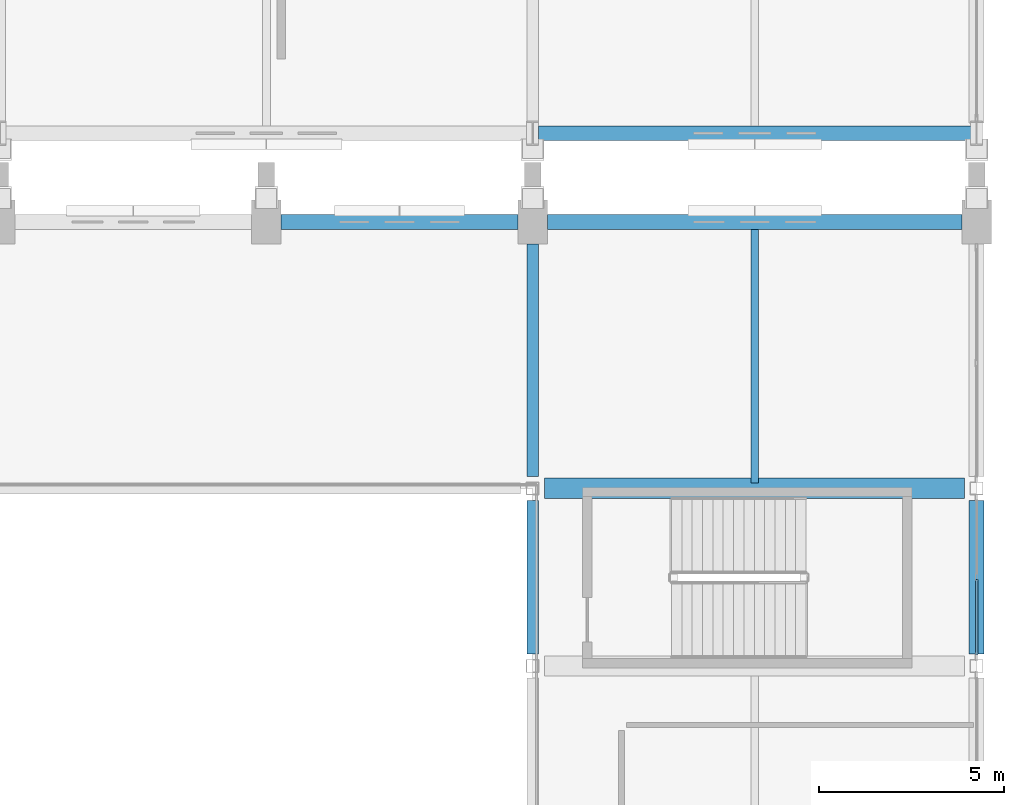
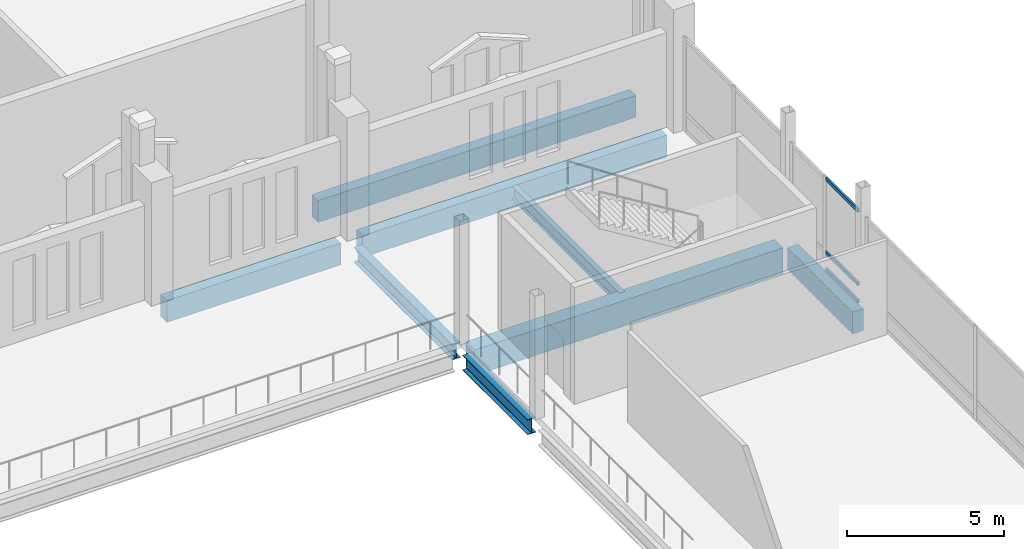
# One storey, part 90 of 193: 8 beams, 3 members, 1 element without a shape of its own.
"""IFC4 building model written with IfcOpenShell, lengths in metres."""

import ifcopenshell
import ifcopenshell.guid

model = None  # the IFC model being written
_history = None  # IfcOwnerHistory: only IFC2X3 demands one
_inside = {}  # id of a spatial element -> (the spatial element, [elements in it])
_under = {}  # id of a project, library or spatial element -> (it, [spatial elements below it])
_declared = {}  # id of a project -> (the project, [libraries it declares])
_typed = {}  # id of a type object -> (the type object, [elements of that type])
_made_of = {}  # id of a material, layer set ... -> (it, [elements and type objects made of it])


def new_model(schema):
    """Start an empty IFC model of exactly this schema.

    Asked for "IFC4X3", IfcOpenShell would pick the latest addendum, in which some entities
    have other attributes; the version numbers below select the first issue.
    IFC2X3 requires an IfcOwnerHistory on every rooted entity: one is made here for all.
    """
    global model, _history
    if schema == "IFC4X3":
        model = ifcopenshell.file(schema_version=(4, 3, 0, 0))
    else:
        model = ifcopenshell.file(schema=schema)
    _inside.clear()
    _under.clear()
    _declared.clear()
    _typed.clear()
    _made_of.clear()
    _history = None
    if model.schema == "IFC2X3":
        org = make("IfcOrganization", Name="unknown")
        user = make(
            "IfcPersonAndOrganization",
            ThePerson=make("IfcPerson", FamilyName="unknown"),
            TheOrganization=org,
        )
        app = make(
            "IfcApplication",
            ApplicationDeveloper=org,
            Version="unknown",
            ApplicationFullName="unknown",
            ApplicationIdentifier="unknown",
        )
        _history = make(
            "IfcOwnerHistory",
            OwningUser=user,
            OwningApplication=app,
            ChangeAction="ADDED",
            CreationDate=0,
        )
    return model


def make(cls, **values):
    """One entity of the class cls with the attributes given. An attribute that is None is left unset."""
    return model.create_entity(
        cls, **{name: value for name, value in values.items() if value is not None}
    )


def rooted(cls, **values):
    """An entity with a GlobalId (a new one), such as an element, a storey or a relation."""
    return make(cls, GlobalId=ifcopenshell.guid.new(), OwnerHistory=_history, **values)


def si_unit(unit_type, name, prefix=None):
    """IfcSIUnit, for example si_unit("LENGTHUNIT", "METRE", prefix="MILLI")."""
    return make("IfcSIUnit", UnitType=unit_type, Prefix=prefix, Name=name)


def assignment(units):
    """IfcUnitAssignment: the units of a project."""
    return None if units is None else make("IfcUnitAssignment", Units=units)


def point(xyz):
    """IfcCartesianPoint."""
    return None if xyz is None else make("IfcCartesianPoint", Coordinates=xyz)


def direction(xyz):
    """IfcDirection."""
    return None if xyz is None else make("IfcDirection", DirectionRatios=xyz)


def frame(location, z_axis=None, x_axis=None):
    """IfcAxis2Placement3D, a coordinate frame: its origin and axes. An axis left out is left unset."""
    return make(
        "IfcAxis2Placement3D",
        Location=point(location),
        Axis=direction(z_axis),
        RefDirection=direction(x_axis),
    )


def frame_2d(location, x_axis=None):
    """IfcAxis2Placement2D, a coordinate frame in the plane: its origin and x axis."""
    return make(
        "IfcAxis2Placement2D", Location=point(location), RefDirection=direction(x_axis)
    )


def origin():
    """The frame at (0, 0, 0) with its axes left unset."""
    return frame((0.0, 0.0, 0.0))


def origin_2d():
    """The frame at (0, 0) in the plane with its x axis left unset."""
    return frame_2d((0.0, 0.0))


def place(relative_to, where):
    """IfcLocalPlacement: puts the frame where relative to a parent placement (None: the world)."""
    return make(
        "IfcLocalPlacement", PlacementRelTo=relative_to, RelativePlacement=where
    )


def context(
    kind, dimensions, precision=None, world=None, true_north=None, identifier=None
):
    """IfcGeometricRepresentationContext, for example the 3D "Model" context."""
    return make(
        "IfcGeometricRepresentationContext",
        ContextIdentifier=identifier,
        ContextType=kind,
        CoordinateSpaceDimension=dimensions,
        Precision=precision,
        WorldCoordinateSystem=world,
        TrueNorth=true_north,
    )


def subcontext(parent, identifier, kind, view, scale=None):
    """IfcGeometricRepresentationSubContext, for example "Body" below "Model"."""
    return make(
        "IfcGeometricRepresentationSubContext",
        ContextIdentifier=identifier,
        ContextType=kind,
        ParentContext=parent,
        TargetScale=scale,
        TargetView=view,
    )


def project(units=None, contexts=None):
    """IfcProject with its units and contexts."""
    return rooted(
        "IfcProject",
        Name="project",
        RepresentationContexts=contexts,
        UnitsInContext=assignment(units),
    )


def spatial(cls, under=None, at=None, **own):
    """A site, building, storey or space (cls), placed at a placement, below another one or the project."""
    s = rooted(cls, ObjectPlacement=at, **own)
    if under is not None:
        _under.setdefault(under.id(), (under, []))[1].append(s)
    return s


def profile(cls, at=None, kind="AREA", **sizes):
    """A parametric profile (cls). Its sizes go by their IFC names, for example OverallWidth=200.0."""
    return make(cls, ProfileType=kind, Position=at, **sizes)


def rectangle(**sizes):
    """IfcRectangleProfileDef."""
    return profile("IfcRectangleProfileDef", **sizes)


def hollow_rectangle(**sizes):
    """IfcRectangleHollowProfileDef."""
    return profile("IfcRectangleHollowProfileDef", **sizes)


def i_section(**sizes):
    """IfcIShapeProfileDef."""
    return profile("IfcIShapeProfileDef", **sizes)


def extrude(swept, where, along, depth):
    """IfcExtrudedAreaSolid: the profile swept, set in the frame where, extruded along a direction by depth."""
    return make(
        "IfcExtrudedAreaSolid",
        SweptArea=swept,
        Position=where,
        ExtrudedDirection=direction(along),
        Depth=depth,
    )


def shape(context_of_items, identifier, shape_type, items):
    """IfcShapeRepresentation: the items that make up one representation, for example the "Body"."""
    return make(
        "IfcShapeRepresentation",
        ContextOfItems=context_of_items,
        RepresentationIdentifier=identifier,
        RepresentationType=shape_type,
        Items=items,
    )


def material(Name=None, Category=None):
    """IfcMaterial."""
    return make("IfcMaterial", Name=Name, Category=Category)


def material_profile(
    of_material, cross_section, Name=None, Category=None, Priority=None
):
    """IfcMaterialProfile: a cross section and its material."""
    return make(
        "IfcMaterialProfile",
        Name=Name,
        Material=of_material,
        Profile=cross_section,
        Priority=Priority,
        Category=Category,
    )


def profile_set(profiles, Name=None, composite=None):
    """IfcMaterialProfileSet."""
    return make(
        "IfcMaterialProfileSet",
        Name=Name,
        MaterialProfiles=profiles,
        CompositeProfile=composite,
    )


def made_of(thing, what):
    """Note that an element or type object is made of a material, layer set ...; save() writes the relation."""
    if what is not None:
        _made_of.setdefault(what.id(), (what, []))[1].append(thing)
    return thing


def type_object(cls, material=None, **own):
    """A type object (cls), such as IfcWallType, which elements share."""
    return made_of(rooted(cls, **own), material)


def element(
    cls,
    number,
    at=None,
    inside=None,
    cuts=None,
    type_object=None,
    material=None,
    context=None,
    identifier="Body",
    shape_type=None,
    held_by="IfcProductDefinitionShape",
    body=None,
    shapes=None,
    **own,
):
    """One element of the class cls, such as IfcWall. Its Tag is "e" and its number.

    at: its placement. inside: the storey or other place that contains it. cuts: it is an
    opening in that element (IfcRelVoidsElement). A single representation is given by context,
    identifier, shape_type and body (its items); several are given by shapes. held_by: the class
    of the entity that holds the representations. save() writes the other relations.
    """
    e = rooted(cls, Tag="e%d" % number, ObjectPlacement=at, **own)
    if body is not None:
        shapes = [shape(context, identifier, shape_type, body)]
    if shapes is not None:
        e.Representation = make(held_by, Representations=shapes)
    if inside is not None:
        _inside.setdefault(inside.id(), (inside, []))[1].append(e)
    if cuts is not None:
        rooted(
            "IfcRelVoidsElement", RelatingBuildingElement=cuts, RelatedOpeningElement=e
        )
    if type_object is not None:
        _typed.setdefault(type_object.id(), (type_object, []))[1].append(e)
    return made_of(e, material)


def aggregate(whole, parts):
    """IfcRelAggregates: a whole, such as a stair, and the parts it consists of."""
    return rooted("IfcRelAggregates", RelatingObject=whole, RelatedObjects=parts)


def save(model, path):
    """Write the relations noted so far, then the file.

    IfcRelAggregates (storeys below a building ...), IfcRelContainedInSpatialStructure (elements
    in a storey), IfcRelDefinesByType, IfcRelAssociatesMaterial and IfcRelDeclares: one each for
    every whole, place, type object, material and project.
    """
    for whole, parts in _under.values():
        aggregate(whole, parts)
    for where, things in _inside.values():
        rooted(
            "IfcRelContainedInSpatialStructure",
            RelatedElements=things,
            RelatingStructure=where,
        )
    for kind, things in _typed.values():
        rooted("IfcRelDefinesByType", RelatedObjects=things, RelatingType=kind)
    for what, things in _made_of.values():
        rooted("IfcRelAssociatesMaterial", RelatedObjects=things, RelatingMaterial=what)
    for by, libraries in _declared.values():
        rooted("IfcRelDeclares", RelatingContext=by, RelatedDefinitions=libraries)
    model.write(path)


model = new_model("IFC4")

# Units and contexts
model_context = context("Model", 3, precision=1e-05, world=origin(), true_north=direction((0.0, 1.0)))
body_context = subcontext(model_context, "Body", "Model", "MODEL_VIEW")
ifc_project = project(units=[si_unit("LENGTHUNIT", "METRE"), si_unit("AREAUNIT", "SQUARE_METRE"), si_unit("VOLUMEUNIT", "CUBIC_METRE"), si_unit("PLANEANGLEUNIT", "RADIAN"), si_unit("MASSUNIT", "GRAM", prefix="KILO")], contexts=[model_context])

# Site, building, storey
site_placement = place(None, origin())
site = spatial("IfcSite", under=ifc_project, at=site_placement, CompositionType="ELEMENT")
building_placement = place(site_placement, origin())
building = spatial("IfcBuilding", under=site, at=building_placement, Name="Cendralis Lancet Convention Centre", CompositionType="ELEMENT")
storey_placement = place(building_placement, frame((0.0, 0.0, 10.199951171875)))
storey = spatial("IfcBuildingStorey", under=building, at=storey_placement, Name="L02", CompositionType="ELEMENT", Elevation=10.199951171875)

# Curtain wall, members
ifc_material_1 = material(Name="Anodised bronze architectural aluminium", Category="aluminium")
curtain_wall_type = type_object("IfcCurtainWallType", Name="ARC-CW-PL02", PredefinedType="USERDEFINED", material=ifc_material_1)
curtain_wall_placement = place(storey_placement, origin())
curtain_wall = element("IfcCurtainWall", 1, at=curtain_wall_placement, inside=storey, type_object=curtain_wall_type, Name="L02 Curtain Wall CW-PL2 #134", ObjectType="CURTAIN WALL", PredefinedType="USERDEFINED")
ifc_material_profile_1 = material_profile(ifc_material_1, hollow_rectangle(XDim=0.070068359375, YDim=0.139892578125, WallThickness=0.00390625, at=origin_2d()), Name="AL-TRAN 70x140x4.0")
ifc_profile_set_1 = profile_set([ifc_material_profile_1], Name="Anodised bronze architectural aluminium")
member_type = type_object("IfcMemberType", Name="ARC-CW-TR02", PredefinedType="USERDEFINED", material=ifc_profile_set_1)
member_1_placement = place(storey_placement, frame((208.800048828125, 81.530029296875, 0.070068359375), z_axis=(0.0, -1.0, 0.0), x_axis=(1.0, 0.0, 0.0)))
member_1 = element("IfcMember", 2, at=member_1_placement, type_object=member_type, Name="Transom CW2-CW-PL2-L02-134-T1BOT", ObjectType="TRANSOM", PredefinedType="USERDEFINED", context=body_context, shape_type="SweptSolid", body=[
    extrude(hollow_rectangle(XDim=0.070068359375, YDim=0.139892578125, WallThickness=0.00390625, at=origin_2d()), origin(), (0.0, 0.0, 1.0), 2.034912109375),
])
member_2_placement = place(storey_placement, frame((208.800048828125, 81.530029296875, 0.75), z_axis=(0.0, -1.0, 0.0), x_axis=(1.0, 0.0, 0.0)))
member_2 = element("IfcMember", 3, at=member_2_placement, type_object=member_type, Name="Transom CW2-CW-PL2-L02-134-T1MID", ObjectType="TRANSOM", PredefinedType="USERDEFINED", context=body_context, shape_type="SweptSolid", body=[
    extrude(hollow_rectangle(XDim=0.070068359375, YDim=0.139892578125, WallThickness=0.00390625, at=origin_2d()), origin(), (0.0, 0.0, 1.0), 2.034912109375),
])
member_3_placement = place(storey_placement, frame((208.800048828125, 81.530029296875, 3.60498046875), z_axis=(0.0, -1.0, 0.0), x_axis=(1.0, 0.0, 0.0)))
member_3 = element("IfcMember", 4, at=member_3_placement, type_object=member_type, Name="Transom CW2-CW-PL2-L02-134-T1TOP", ObjectType="TRANSOM", PredefinedType="USERDEFINED", context=body_context, shape_type="SweptSolid", body=[
    extrude(hollow_rectangle(XDim=0.070068359375, YDim=0.139892578125, WallThickness=0.00390625, at=origin_2d()), origin(), (0.0, 0.0, 1.0), 2.034912109375),
])
aggregate(curtain_wall, [member_1, member_2, member_3])

# Beams
ifc_material_2 = material(Name="Concrete G40 (C40/50)", Category="concrete")
ifc_material_profile_2 = material_profile(ifc_material_2, rectangle(XDim=0.550048828125, YDim=1.0, at=origin_2d()), Name="RCB 550x1000")
ifc_profile_set_2 = profile_set([ifc_material_profile_2], Name="Concrete G40 (C40/50)")
beam_type_1 = type_object("IfcBeamType", Name="STR-BM-BG05", PredefinedType="BEAM", material=ifc_profile_set_2)
beam_1_placement = place(storey_placement, frame((197.125, 84.0, -0.800048828125), z_axis=(1.0, 0.0, 0.0), x_axis=(0.0, 1.0, 0.0)))
element("IfcBeam", 5, at=beam_1_placement, inside=storey, type_object=beam_type_1, Name="L02 Beam BG05 #1476", PredefinedType="BEAM", context=body_context, shape_type="SweptSolid", body=[
    extrude(rectangle(XDim=0.550048828125, YDim=1.0, at=origin_2d()), origin(), (0.0, 0.0, 1.0), 11.35009765625),
])
ifc_material_3 = material(Name="Steel S355", Category="steel")
ifc_material_profile_3 = material_profile(ifc_material_3, i_section(OverallWidth=0.300048828125, OverallDepth=0.590087890625, WebThickness=0.012939453125, FlangeThickness=0.02490234375, FilletRadius=0.027099609375, at=origin_2d()), Name="HEA 600")
ifc_profile_set_3 = profile_set([ifc_material_profile_3], Name="Steel S355")
beam_type_2 = type_object("IfcBeamType", Name="STR-BM-SG10", PredefinedType="BEAM", material=ifc_profile_set_3)
beam_2_placement = place(storey_placement, frame((196.800048828125, 79.52490234375, -0.594970703125), z_axis=(0.0, 1.0, 0.0), x_axis=(-1.0, 0.0, 0.0)))
element("IfcBeam", 6, at=beam_2_placement, inside=storey, type_object=beam_type_2, Name="L02 Beam SG10 #1490", PredefinedType="BEAM", context=body_context, shape_type="SweptSolid", body=[
    extrude(i_section(OverallWidth=0.300048828125, OverallDepth=0.590087890625, WebThickness=0.012939453125, FlangeThickness=0.02490234375, FilletRadius=0.027099609375, at=origin_2d()), origin(), (0.0, 0.0, 1.0), 4.150146484375),
])
beam_3_placement = place(storey_placement, frame((196.800048828125, 84.324951171875, -0.594970703125), z_axis=(0.0, 1.0, 0.0), x_axis=(-1.0, 0.0, 0.0)))
element("IfcBeam", 7, at=beam_3_placement, inside=storey, type_object=beam_type_2, Name="L02 Beam SG10 #1491", PredefinedType="BEAM", context=body_context, shape_type="SweptSolid", body=[
    extrude(i_section(OverallWidth=0.300048828125, OverallDepth=0.590087890625, WebThickness=0.012939453125, FlangeThickness=0.02490234375, FilletRadius=0.027099609375, at=origin_2d()), origin(), (0.0, 0.0, 1.0), 6.275146484375),
])
ifc_material_profile_4 = material_profile(ifc_material_3, i_section(OverallWidth=0.199951171875, OverallDepth=0.5, WebThickness=0.01025390625, FlangeThickness=0.01611328125, FilletRadius=0.02099609375, at=origin_2d()), Name="IPE 500")
ifc_profile_set_4 = profile_set([ifc_material_profile_4], Name="Steel S355")
beam_type_3 = type_object("IfcBeamType", Name="STR-JS-BJ06", PredefinedType="JOIST", material=ifc_profile_set_4)
beam_4_placement = place(storey_placement, frame((202.800048828125, 84.14990234375, -0.550048828125), z_axis=(0.0, 1.0, 0.0), x_axis=(-1.0, 0.0, 0.0)))
element("IfcBeam", 8, at=beam_4_placement, inside=storey, type_object=beam_type_3, Name="L02 Beam BJ06 #1503", PredefinedType="JOIST", context=body_context, shape_type="SweptSolid", body=[
    extrude(i_section(OverallWidth=0.199951171875, OverallDepth=0.5, WebThickness=0.01025390625, FlangeThickness=0.01611328125, FilletRadius=0.02099609375, at=origin_2d()), origin(), (0.0, 0.0, 1.0), 6.85009765625),
])
ifc_material_profile_5 = material_profile(ifc_material_2, rectangle(XDim=0.39990234375, YDim=0.85009765625, at=origin_2d()), Name="RCB 400x850")
ifc_profile_set_5 = profile_set([ifc_material_profile_5], Name="Concrete G40 (C40/50)")
beam_type_4 = type_object("IfcBeamType", Name="STR-SP-SP02", PredefinedType="SPANDREL", material=ifc_profile_set_5)
beam_5_placement = place(storey_placement, frame((190.0, 91.199951171875, -0.724853515625), z_axis=(1.0, 0.0, 0.0), x_axis=(0.0, 1.0, 0.0)))
element("IfcBeam", 9, at=beam_5_placement, inside=storey, type_object=beam_type_4, Name="L02 Beam SP02 #1465", PredefinedType="SPANDREL", context=body_context, shape_type="SweptSolid", body=[
    extrude(rectangle(XDim=0.39990234375, YDim=0.85009765625, at=origin_2d()), origin(), (0.0, 0.0, 1.0), 6.39990234375),
])
beam_6_placement = place(storey_placement, frame((197.199951171875, 91.199951171875, -0.724853515625), z_axis=(1.0, 0.0, 0.0), x_axis=(0.0, 1.0, 0.0)))
element("IfcBeam", 10, at=beam_6_placement, inside=storey, type_object=beam_type_4, Name="L02 Beam SP02 #1466", PredefinedType="SPANDREL", context=body_context, shape_type="SweptSolid", body=[
    extrude(rectangle(XDim=0.39990234375, YDim=0.85009765625, at=origin_2d()), origin(), (0.0, 0.0, 1.0), 11.199951171875),
])
beam_7_placement = place(storey_placement, frame((208.800048828125, 79.52490234375, -0.724853515625), z_axis=(0.0, 1.0, 0.0), x_axis=(-1.0, 0.0, 0.0)))
element("IfcBeam", 11, at=beam_7_placement, inside=storey, type_object=beam_type_4, Name="L02 Beam SP02 #1495", PredefinedType="SPANDREL", context=body_context, shape_type="SweptSolid", body=[
    extrude(rectangle(XDim=0.39990234375, YDim=0.85009765625, at=origin_2d()), origin(), (0.0, 0.0, 1.0), 4.150146484375),
])
beam_8_placement = place(storey_placement, frame((196.949951171875, 93.60009765625, -0.724853515625), z_axis=(1.0, 0.0, 0.0), x_axis=(0.0, 1.0, 0.0)))
element("IfcBeam", 12, at=beam_8_placement, inside=storey, type_object=beam_type_4, Name="L02 Beam SP02 #1702", PredefinedType="SPANDREL", context=body_context, shape_type="SweptSolid", body=[
    extrude(rectangle(XDim=0.39990234375, YDim=0.85009765625, at=origin_2d()), origin(), (0.0, 0.0, 1.0), 11.699951171875),
])

save(model, "model.ifc")
